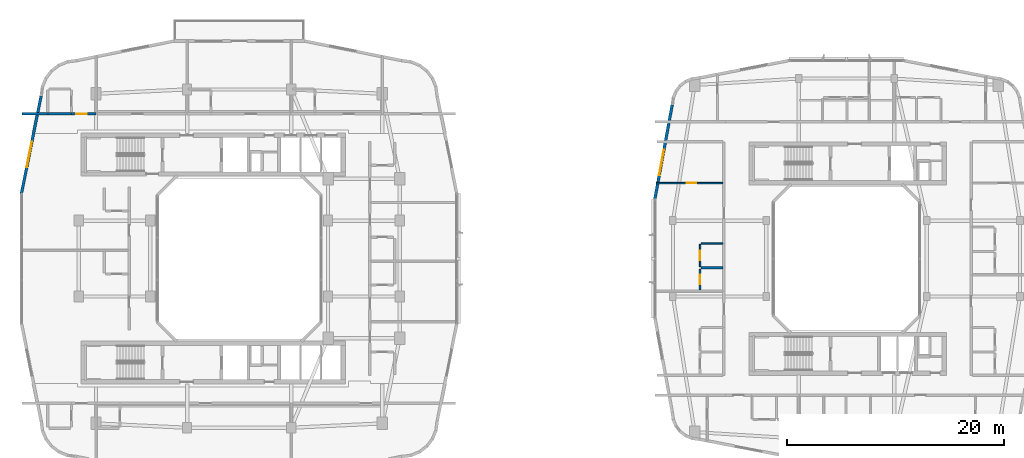
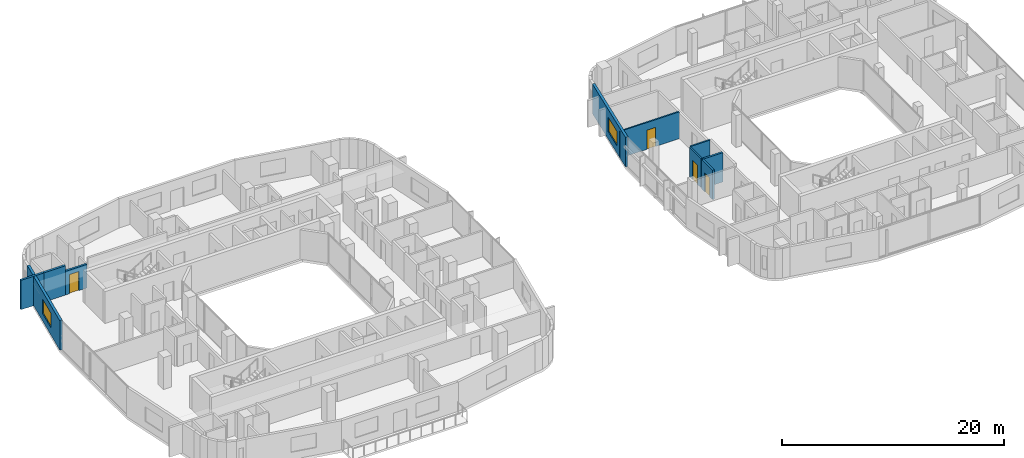
# One storey, part 14 of 26: 10 walls, 4 doors, 2 windows, 6 openings.
"""IFC4 building model written with IfcOpenShell, lengths in metres."""

from ifc_helpers import new_model, si_unit, derived_unit, direction, frame, frame_2d, origin, place, context, subcontext, project, spatial, rectangle, extrude, material, layer, layer_set, type_object, element, fill, save


model = new_model("IFC4")

# Units and contexts
model_context = context("Model", 3, precision=1e-05, world=origin(), true_north=direction((0.0, 1.0)))
body_context = subcontext(model_context, "Body", "Model", "MODEL_VIEW")
ifc_project = project(units=[si_unit("LENGTHUNIT", "METRE"), si_unit("AREAUNIT", "SQUARE_METRE"), si_unit("VOLUMEUNIT", "CUBIC_METRE"), si_unit("PLANEANGLEUNIT", "RADIAN"), si_unit("MASSUNIT", "GRAM", prefix="KILO"), derived_unit("THERMALTRANSMITTANCEUNIT", [(si_unit("POWERUNIT", "WATT"), 1), (si_unit("LENGTHUNIT", "METRE"), -2), (si_unit("THERMODYNAMICTEMPERATUREUNIT", "KELVIN"), -1)])], contexts=[model_context])

# Site, building, storey
site_placement = place(None, origin())
site = spatial("IfcSite", under=ifc_project, at=site_placement, CompositionType="ELEMENT")
building_placement = place(site_placement, origin())
building = spatial("IfcBuilding", under=site, at=building_placement, Name="Kivonza Crest Hotel", CompositionType="ELEMENT")
storey_placement = place(building_placement, frame((0.0, 0.0, 95.0)))
storey = spatial("IfcBuildingStorey", under=building, at=storey_placement, Name="L25", CompositionType="ELEMENT", Elevation=95.0)

# Walls
ifc_material_1 = material(Name="Autoclaved aerated concrete blockwork", Category="masonry")
ifc_layer_1 = layer(ifc_material_1, 0.219970703125)
ifc_layer_set_1 = layer_set([ifc_layer_1], Name="Autoclaved aerated concrete blockwork")
wall_type_1 = type_object("IfcWallType", Name="WL-ACOU-220", PredefinedType="SOLIDWALL", material=ifc_layer_set_1)
wall_1_placement = place(storey_placement, frame((0.9599609375, 38.35009765625, 0.0), z_axis=(0.0, 0.0, 1.0), x_axis=(1.0, 0.0, 0.0)))
element("IfcWall", 1, at=wall_1_placement, inside=storey, type_object=wall_type_1, Name="L25 interior partition WA-L25-N01-XCORR", PredefinedType="SOLIDWALL", context=body_context, shape_type="SweptSolid", body=[
    extrude(rectangle(XDim=2.39013671875, YDim=0.219970703125, at=frame_2d((1.195068359375, 0.0))), origin(), (0.0, 0.0, 1.0), 3.219970703125),
])
wall_2_placement = place(storey_placement, frame((3.35009765625, 38.35009765625, 0.0), z_axis=(0.0, 0.0, 1.0), x_axis=(1.0, 0.0, 0.0)))
element("IfcWall", 2, at=wall_2_placement, inside=storey, type_object=wall_type_1, Name="L25 interior partition WA-L25-N01-BCORR", PredefinedType="SOLIDWALL", context=body_context, shape_type="SweptSolid", body=[
    extrude(rectangle(XDim=2.199951171875, YDim=0.219970703125, at=frame_2d((1.10009765625, 0.0))), origin(), (0.0, 0.0, 1.0), 3.219970703125),
])

# Wall, opening, door
wall_3_placement = place(storey_placement, frame((5.550048828125, 38.35009765625, 0.0), z_axis=(0.0, 0.0, 1.0), x_axis=(1.0, 0.0, 0.0)))
wall_3 = element("IfcWall", 3, at=wall_3_placement, inside=storey, type_object=wall_type_1, Name="L25 interior partition WA-L25-N01-MCORR", PredefinedType="SOLIDWALL", context=body_context, shape_type="SweptSolid", body=[
    extrude(rectangle(XDim=2.25, YDim=0.219970703125, at=frame_2d((1.125, 0.0))), origin(), (0.0, 0.0, 1.0), 2.594970703125),
])
opening_1_placement = place(wall_3_placement, frame((0.43994140625, 0.0, 0.0)))
opening_1 = element("IfcOpeningElement", 4, at=opening_1_placement, cuts=wall_3, Name="Opening DU-60", PredefinedType="OPENING", context=body_context, shape_type="SweptSolid", body=[
    extrude(rectangle(XDim=0.949951171875, YDim=2.10009765625, at=frame_2d((0.47509765625, 1.050048828125))), frame((0.0, 0.1201171875, 0.0), z_axis=(0.0, -1.0, 0.0), x_axis=(1.0, 0.0, 0.0)), (0.0, 0.0, 1.0), 0.239990234375),
])
ifc_material_2 = material(Name="Hardwood timber oak", Category="wood")
door_type_1 = type_object("IfcDoorType", Name="DR-UNIT-950", OperationType="NOTDEFINED", PredefinedType="DOOR", material=ifc_material_2)
door_1_placement = place(opening_1_placement, origin())
door_1 = element("IfcDoor", 5, at=door_1_placement, inside=storey, type_object=door_type_1, Name="L25 N01 guest unit entrance fire door", OperationType="SINGLE_SWING_LEFT", OverallHeight=2.10009765625, OverallWidth=0.949951171875, PredefinedType="DOOR", context=body_context, shape_type="SweptSolid", body=[
    extrude(rectangle(XDim=0.949951171875, YDim=2.10009765625, at=frame_2d((0.47509765625, 1.050048828125))), frame((0.0, 0.02490234375, 0.0), z_axis=(0.0, -1.0, 0.0), x_axis=(1.0, 0.0, 0.0)), (0.0, 0.0, 1.0), 0.050048828125),
])
fill(opening_1, door_1)

# Wall, opening, window
ifc_material_3 = material(Name="Precast concrete C40/50", Category="concrete")
ifc_layer_2 = layer(ifc_material_3, 0.260009765625)
ifc_layer_set_2 = layer_set([ifc_layer_2], Name="Precast concrete C40/50")
wall_type_2 = type_object("IfcWallType", Name="WL-EXT-260", PredefinedType="STANDARD", material=ifc_layer_set_2)
wall_4_placement = place(storey_placement, frame((2.72900390625, 39.98193359375, 0.0), z_axis=(0.0, 0.0, 1.0), x_axis=(-0.197435082048, -0.980315963543, 0.0)))
wall_4 = element("IfcWall", 6, at=wall_4_placement, inside=storey, type_object=wall_type_2, Name="L25 T1 exterior insulated wall 34", PredefinedType="STANDARD", context=body_context, shape_type="SweptSolid", body=[
    extrude(rectangle(XDim=9.1826171875, YDim=0.260009765625, at=frame_2d((4.59130859375, 0.0))), origin(), (0.0, 0.0, 1.0), 3.219970703125),
])
opening_2_placement = place(wall_4_placement, frame((4.285888671875, 0.0, 0.800048828125)))
opening_2 = element("IfcOpeningElement", 7, at=opening_2_placement, cuts=wall_4, Name="Opening WN-05", PredefinedType="OPENING", context=body_context, shape_type="SweptSolid", body=[
    extrude(rectangle(XDim=2.39990234375, YDim=1.60009765625, at=frame_2d((1.199951171875, 0.800048828125))), frame((0.0, 0.14013671875, 0.0), z_axis=(0.0, -1.0, 0.0), x_axis=(1.0, 0.0, 0.0)), (0.0, 0.0, 1.0), 0.280029296875),
])
ifc_material_4 = material(Name="Thermally broken bronze aluminium and low-E double glazing", Category="aluminium")
window_type = type_object("IfcWindowType", Name="WN-240x160", PartitioningType="TRIPLE_PANEL_VERTICAL", PredefinedType="WINDOW", material=ifc_material_4)
window_1_placement = place(opening_2_placement, origin())
window_1 = element("IfcWindow", 8, at=window_1_placement, inside=storey, type_object=window_type, Name="L25 T1 facade window 34", OverallHeight=1.60009765625, OverallWidth=2.39990234375, PartitioningType="SINGLE_PANEL", PredefinedType="WINDOW", context=body_context, shape_type="SweptSolid", body=[
    extrude(rectangle(XDim=2.39990234375, YDim=1.60009765625, at=frame_2d((1.199951171875, 0.800048828125))), frame((0.0, 0.030029296875, 0.0), z_axis=(0.0, -1.0, 0.0), x_axis=(1.0, 0.0, 0.0)), (0.0, 0.0, 1.0), 0.06005859375),
])
fill(opening_2, window_1)

wall_5_placement = place(storey_placement, frame((60.928955078125, 39.18408203125, 0.0), z_axis=(0.0, 0.0, 1.0), x_axis=(-0.181209963057, -0.983444431215, 0.0)))
wall_5 = element("IfcWall", 9, at=wall_5_placement, inside=storey, type_object=wall_type_2, Name="L25 T2 exterior insulated wall 34", PredefinedType="STANDARD", context=body_context, shape_type="SweptSolid", body=[
    extrude(rectangle(XDim=8.889404296875, YDim=0.260009765625, at=frame_2d((4.44482421875, 0.0))), origin(), (0.0, 0.0, 1.0), 3.25),
])
opening_3_placement = place(wall_5_placement, frame((4.214111328125, 0.0, 0.800048828125)))
opening_3 = element("IfcOpeningElement", 10, at=opening_3_placement, cuts=wall_5, Name="Opening WN-05", PredefinedType="OPENING", context=body_context, shape_type="SweptSolid", body=[
    extrude(rectangle(XDim=2.39990234375, YDim=1.60009765625, at=frame_2d((1.199951171875, 0.800048828125))), frame((0.0, 0.14013671875, 0.0), z_axis=(0.0, -1.0, 0.0), x_axis=(1.0, 0.0, 0.0)), (0.0, 0.0, 1.0), 0.280029296875),
])
window_2_placement = place(opening_3_placement, origin())
window_2 = element("IfcWindow", 11, at=window_2_placement, inside=storey, type_object=window_type, Name="L25 T2 facade window 34", OverallHeight=1.60009765625, OverallWidth=2.39990234375, PartitioningType="SINGLE_PANEL", PredefinedType="WINDOW", context=body_context, shape_type="SweptSolid", body=[
    extrude(rectangle(XDim=2.39990234375, YDim=1.60009765625, at=frame_2d((1.199951171875, 0.800048828125))), frame((0.0, 0.030029296875, 0.0), z_axis=(0.0, -1.0, 0.0), x_axis=(1.0, 0.0, 0.0)), (0.0, 0.0, 1.0), 0.06005859375),
])
fill(opening_3, window_2)

# Wall, opening, door
ifc_material_5 = material(Name="Twin-stud acoustic gypsum board partition", Category="gypsum")
ifc_layer_3 = layer(ifc_material_5, 0.14990234375)
ifc_layer_set_3 = layer_set([ifc_layer_3], Name="Twin-stud acoustic gypsum board partition")
wall_type_3 = type_object("IfcWallType", Name="WL-PART-150", PredefinedType="PARTITIONING", material=ifc_layer_set_3)
wall_6_placement = place(storey_placement, frame((59.4599609375, 31.9599609375, 0.0), z_axis=(0.0, 0.0, 1.0), x_axis=(1.0, 0.0, 0.0)))
wall_6 = element("IfcWall", 12, at=wall_6_placement, inside=storey, type_object=wall_type_3, Name="L25 interior partition WP-L25-A06-BD1", PredefinedType="PARTITIONING", context=body_context, shape_type="SweptSolid", body=[
    extrude(rectangle(XDim=6.14013671875, YDim=0.14990234375, at=frame_2d((3.070068359375, 0.0))), origin(), (0.0, 0.0, 1.0), 2.945068359375),
])
opening_4_placement = place(wall_6_placement, frame((2.7900390625, 0.0, 0.0)))
opening_4 = element("IfcOpeningElement", 13, at=opening_4_placement, cuts=wall_6, Name="Opening DI-90", PredefinedType="OPENING", context=body_context, shape_type="SweptSolid", body=[
    extrude(rectangle(XDim=0.89990234375, YDim=2.10009765625, at=frame_2d((0.449951171875, 1.050048828125))), frame((0.0, 0.0849609375, 0.0), z_axis=(0.0, -1.0, 0.0), x_axis=(1.0, 0.0, 0.0)), (0.0, 0.0, 1.0), 0.169921875),
])
door_type_2 = type_object("IfcDoorType", Name="DR-INT-900", OperationType="NOTDEFINED", PredefinedType="DOOR", material=ifc_material_2)
door_2_placement = place(opening_4_placement, origin())
door_2 = element("IfcDoor", 14, at=door_2_placement, inside=storey, type_object=door_type_2, Name="L25 A06 bedroom door", OperationType="SINGLE_SWING_LEFT", OverallHeight=2.10009765625, OverallWidth=0.89990234375, PredefinedType="DOOR", context=body_context, shape_type="SweptSolid", body=[
    extrude(rectangle(XDim=0.89990234375, YDim=2.10009765625, at=frame_2d((0.449951171875, 1.050048828125))), frame((0.0, 0.02490234375, 0.0), z_axis=(0.0, -1.0, 0.0), x_axis=(1.0, 0.0, 0.0)), (0.0, 0.0, 1.0), 0.050048828125),
])
fill(opening_4, door_2)

# Wall
wall_7_placement = place(storey_placement, frame((63.60009765625, 26.39990234375, 0.0), z_axis=(0.0, 0.0, 1.0), x_axis=(1.0, 0.0, 0.0)))
element("IfcWall", 15, at=wall_7_placement, inside=storey, type_object=wall_type_3, Name="L25 interior partition WP-L25-A06-KF", PredefinedType="PARTITIONING", context=body_context, shape_type="SweptSolid", body=[
    extrude(rectangle(XDim=2.0, YDim=0.14990234375, at=frame_2d((1.0, 0.0))), origin(), (0.0, 0.0, 1.0), 3.219970703125),
])

# Wall, opening, door
wall_8_placement = place(storey_placement, frame((63.5, 24.25, 0.0), z_axis=(0.0, 0.0, 1.0), x_axis=(0.0, 1.0, 0.0)))
wall_8 = element("IfcWall", 16, at=wall_8_placement, inside=storey, type_object=wall_type_3, Name="L25 interior partition WP-L25-A06-KSVC", PredefinedType="PARTITIONING", context=body_context, shape_type="SweptSolid", body=[
    extrude(rectangle(XDim=2.050048828125, YDim=0.14990234375, at=frame_2d((1.02490234375, 0.0))), origin(), (0.0, 0.0, 1.0), 3.219970703125),
])
opening_5_placement = place(wall_8_placement, frame((0.574951171875, 0.0, 0.0)))
opening_5 = element("IfcOpeningElement", 17, at=opening_5_placement, cuts=wall_8, Name="Opening DI-90", PredefinedType="OPENING", context=body_context, shape_type="SweptSolid", body=[
    extrude(rectangle(XDim=0.89990234375, YDim=2.10009765625, at=frame_2d((0.449951171875, 1.050048828125))), frame((0.0, 0.0849609375, 0.0), z_axis=(0.0, -1.0, 0.0), x_axis=(1.0, 0.0, 0.0)), (0.0, 0.0, 1.0), 0.169921875),
])
door_3_placement = place(opening_5_placement, origin())
door_3 = element("IfcDoor", 18, at=door_3_placement, inside=storey, type_object=door_type_2, Name="L25 A06 apartment kitchen door", OperationType="SINGLE_SWING_RIGHT", OverallHeight=2.10009765625, OverallWidth=0.89990234375, PredefinedType="DOOR", context=body_context, shape_type="SweptSolid", body=[
    extrude(rectangle(XDim=0.89990234375, YDim=2.10009765625, at=frame_2d((0.449951171875, 1.050048828125))), frame((0.0, 0.02490234375, 0.0), z_axis=(0.0, -1.0, 0.0), x_axis=(1.0, 0.0, 0.0)), (0.0, 0.0, 1.0), 0.050048828125),
])
fill(opening_5, door_3)

# Wall
ifc_material_6 = material(Name="Moisture-resistant plumbing chase partition wall", Category="gypsum")
ifc_layer_4 = layer(ifc_material_6, 0.199951171875)
ifc_layer_set_4 = layer_set([ifc_layer_4], Name="Moisture-resistant plumbing chase partition wall")
wall_type_4 = type_object("IfcWallType", Name="WL-PLUMB-200", PredefinedType="PLUMBINGWALL", material=ifc_layer_set_4)
wall_9_placement = place(storey_placement, frame((63.60009765625, 24.14990234375, 0.0), z_axis=(0.0, 0.0, 1.0), x_axis=(1.0, 0.0, 0.0)))
element("IfcWall", 19, at=wall_9_placement, inside=storey, type_object=wall_type_4, Name="L25 interior partition WW-L25-A06-BK", PredefinedType="PLUMBINGWALL", context=body_context, shape_type="SweptSolid", body=[
    extrude(rectangle(XDim=2.0, YDim=0.199951171875, at=frame_2d((1.0, 0.0))), origin(), (0.0, 0.0, 1.0), 3.219970703125),
])

# Wall, opening, door
wall_10_placement = place(storey_placement, frame((63.5, 22.10009765625, 0.0), z_axis=(0.0, 0.0, 1.0), x_axis=(0.0, 1.0, 0.0)))
wall_10 = element("IfcWall", 20, at=wall_10_placement, inside=storey, type_object=wall_type_4, Name="L25 interior partition WW-L25-A06-BSVC", PredefinedType="PLUMBINGWALL", context=body_context, shape_type="SweptSolid", body=[
    extrude(rectangle(XDim=1.949951171875, YDim=0.199951171875, at=frame_2d((0.97509765625, 0.0))), origin(), (0.0, 0.0, 1.0), 3.219970703125),
])
opening_6_placement = place(wall_10_placement, frame((0.550048828125, 0.0, 0.0)))
opening_6 = element("IfcOpeningElement", 21, at=opening_6_placement, cuts=wall_10, Name="Opening DI-85", PredefinedType="OPENING", context=body_context, shape_type="SweptSolid", body=[
    extrude(rectangle(XDim=0.85009765625, YDim=2.10009765625, at=frame_2d((0.425048828125, 1.050048828125))), frame((0.0, 0.10986328125, 0.0), z_axis=(0.0, -1.0, 0.0), x_axis=(1.0, 0.0, 0.0)), (0.0, 0.0, 1.0), 0.219970703125),
])
door_type_3 = type_object("IfcDoorType", Name="DR-INT-850", OperationType="NOTDEFINED", PredefinedType="DOOR", material=ifc_material_2)
door_4_placement = place(opening_6_placement, origin())
door_4 = element("IfcDoor", 22, at=door_4_placement, inside=storey, type_object=door_type_3, Name="L25 A06 apartment bathroom door", OperationType="SINGLE_SWING_LEFT", OverallHeight=2.10009765625, OverallWidth=0.85009765625, PredefinedType="DOOR", context=body_context, shape_type="SweptSolid", body=[
    extrude(rectangle(XDim=0.85009765625, YDim=2.10009765625, at=frame_2d((0.425048828125, 1.050048828125))), frame((0.0, 0.02490234375, 0.0), z_axis=(0.0, -1.0, 0.0), x_axis=(1.0, 0.0, 0.0)), (0.0, 0.0, 1.0), 0.050048828125),
])
fill(opening_6, door_4)

save(model, "model.ifc")
